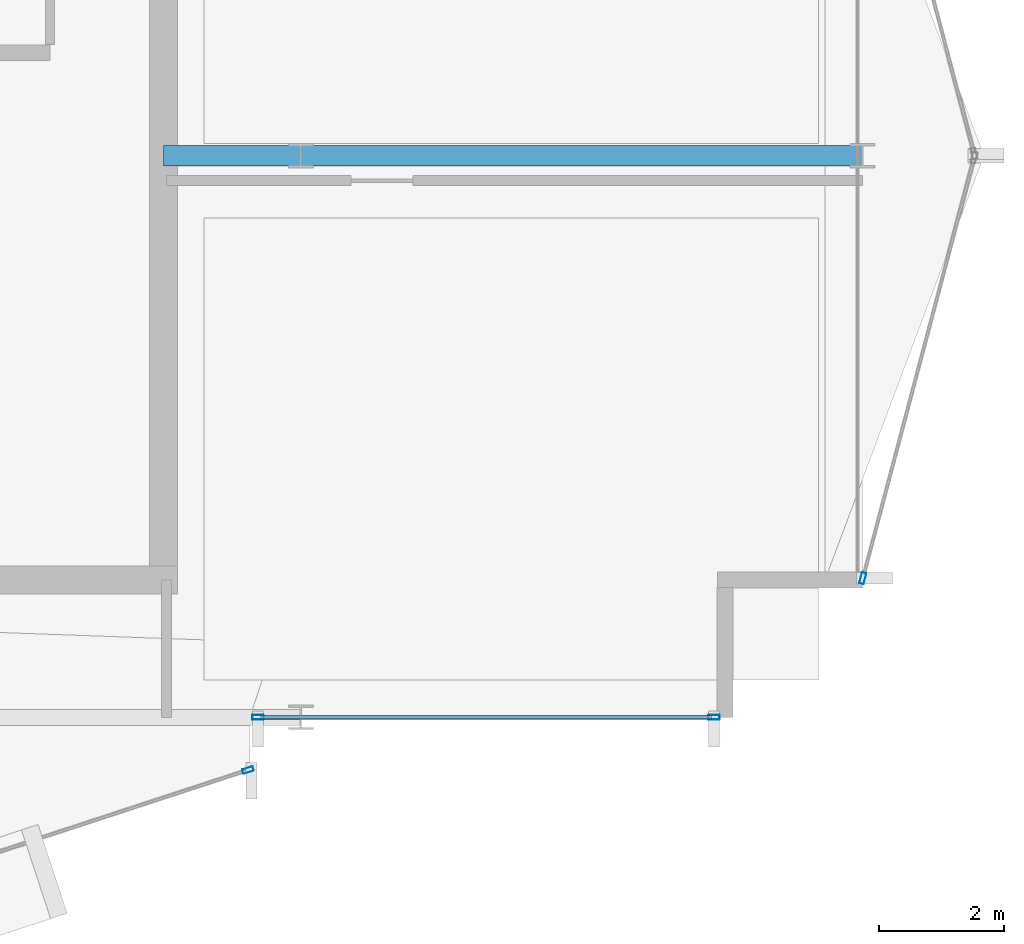
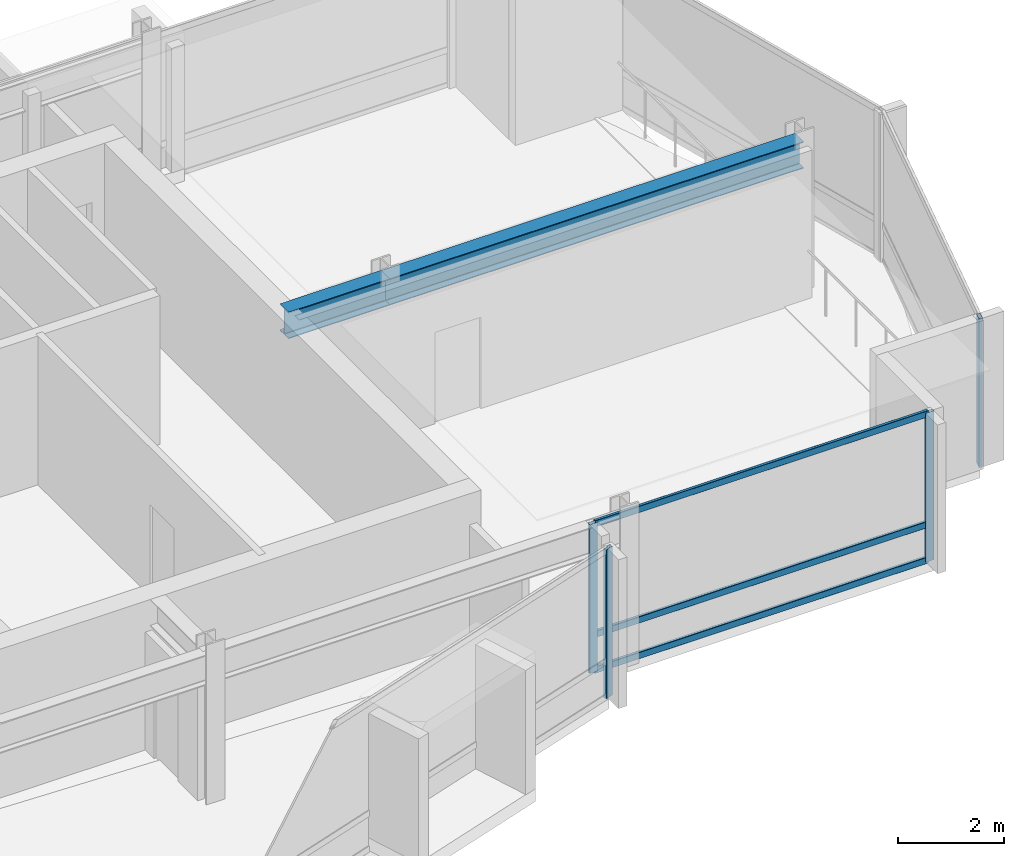
# One storey, part 10 of 27: 7 members, 2 beams, 3 elements without a shape of their own.
"""IFC4 building model written with IfcOpenShell, lengths in metres."""

import ifcopenshell
import ifcopenshell.guid

model = None  # the IFC model being written
_history = None  # IfcOwnerHistory: only IFC2X3 demands one
_inside = {}  # id of a spatial element -> (the spatial element, [elements in it])
_under = {}  # id of a project, library or spatial element -> (it, [spatial elements below it])
_declared = {}  # id of a project -> (the project, [libraries it declares])
_typed = {}  # id of a type object -> (the type object, [elements of that type])
_made_of = {}  # id of a material, layer set ... -> (it, [elements and type objects made of it])


def new_model(schema):
    """Start an empty IFC model of exactly this schema.

    Asked for "IFC4X3", IfcOpenShell would pick the latest addendum, in which some entities
    have other attributes; the version numbers below select the first issue.
    IFC2X3 requires an IfcOwnerHistory on every rooted entity: one is made here for all.
    """
    global model, _history
    if schema == "IFC4X3":
        model = ifcopenshell.file(schema_version=(4, 3, 0, 0))
    else:
        model = ifcopenshell.file(schema=schema)
    _inside.clear()
    _under.clear()
    _declared.clear()
    _typed.clear()
    _made_of.clear()
    _history = None
    if model.schema == "IFC2X3":
        org = make("IfcOrganization", Name="unknown")
        user = make(
            "IfcPersonAndOrganization",
            ThePerson=make("IfcPerson", FamilyName="unknown"),
            TheOrganization=org,
        )
        app = make(
            "IfcApplication",
            ApplicationDeveloper=org,
            Version="unknown",
            ApplicationFullName="unknown",
            ApplicationIdentifier="unknown",
        )
        _history = make(
            "IfcOwnerHistory",
            OwningUser=user,
            OwningApplication=app,
            ChangeAction="ADDED",
            CreationDate=0,
        )
    return model


def make(cls, **values):
    """One entity of the class cls with the attributes given. An attribute that is None is left unset."""
    return model.create_entity(
        cls, **{name: value for name, value in values.items() if value is not None}
    )


def rooted(cls, **values):
    """An entity with a GlobalId (a new one), such as an element, a storey or a relation."""
    return make(cls, GlobalId=ifcopenshell.guid.new(), OwnerHistory=_history, **values)


def si_unit(unit_type, name, prefix=None):
    """IfcSIUnit, for example si_unit("LENGTHUNIT", "METRE", prefix="MILLI")."""
    return make("IfcSIUnit", UnitType=unit_type, Prefix=prefix, Name=name)


def assignment(units):
    """IfcUnitAssignment: the units of a project."""
    return None if units is None else make("IfcUnitAssignment", Units=units)


def point(xyz):
    """IfcCartesianPoint."""
    return None if xyz is None else make("IfcCartesianPoint", Coordinates=xyz)


def direction(xyz):
    """IfcDirection."""
    return None if xyz is None else make("IfcDirection", DirectionRatios=xyz)


def frame(location, z_axis=None, x_axis=None):
    """IfcAxis2Placement3D, a coordinate frame: its origin and axes. An axis left out is left unset."""
    return make(
        "IfcAxis2Placement3D",
        Location=point(location),
        Axis=direction(z_axis),
        RefDirection=direction(x_axis),
    )


def frame_2d(location, x_axis=None):
    """IfcAxis2Placement2D, a coordinate frame in the plane: its origin and x axis."""
    return make(
        "IfcAxis2Placement2D", Location=point(location), RefDirection=direction(x_axis)
    )


def origin():
    """The frame at (0, 0, 0) with its axes left unset."""
    return frame((0.0, 0.0, 0.0))


def origin_2d():
    """The frame at (0, 0) in the plane with its x axis left unset."""
    return frame_2d((0.0, 0.0))


def place(relative_to, where):
    """IfcLocalPlacement: puts the frame where relative to a parent placement (None: the world)."""
    return make(
        "IfcLocalPlacement", PlacementRelTo=relative_to, RelativePlacement=where
    )


def context(
    kind, dimensions, precision=None, world=None, true_north=None, identifier=None
):
    """IfcGeometricRepresentationContext, for example the 3D "Model" context."""
    return make(
        "IfcGeometricRepresentationContext",
        ContextIdentifier=identifier,
        ContextType=kind,
        CoordinateSpaceDimension=dimensions,
        Precision=precision,
        WorldCoordinateSystem=world,
        TrueNorth=true_north,
    )


def subcontext(parent, identifier, kind, view, scale=None):
    """IfcGeometricRepresentationSubContext, for example "Body" below "Model"."""
    return make(
        "IfcGeometricRepresentationSubContext",
        ContextIdentifier=identifier,
        ContextType=kind,
        ParentContext=parent,
        TargetScale=scale,
        TargetView=view,
    )


def project(units=None, contexts=None):
    """IfcProject with its units and contexts."""
    return rooted(
        "IfcProject",
        Name="project",
        RepresentationContexts=contexts,
        UnitsInContext=assignment(units),
    )


def spatial(cls, under=None, at=None, **own):
    """A site, building, storey or space (cls), placed at a placement, below another one or the project."""
    s = rooted(cls, ObjectPlacement=at, **own)
    if under is not None:
        _under.setdefault(under.id(), (under, []))[1].append(s)
    return s


def profile(cls, at=None, kind="AREA", **sizes):
    """A parametric profile (cls). Its sizes go by their IFC names, for example OverallWidth=200.0."""
    return make(cls, ProfileType=kind, Position=at, **sizes)


def hollow_rectangle(**sizes):
    """IfcRectangleHollowProfileDef."""
    return profile("IfcRectangleHollowProfileDef", **sizes)


def i_section(**sizes):
    """IfcIShapeProfileDef."""
    return profile("IfcIShapeProfileDef", **sizes)


def extrude(swept, where, along, depth):
    """IfcExtrudedAreaSolid: the profile swept, set in the frame where, extruded along a direction by depth."""
    return make(
        "IfcExtrudedAreaSolid",
        SweptArea=swept,
        Position=where,
        ExtrudedDirection=direction(along),
        Depth=depth,
    )


def shape(context_of_items, identifier, shape_type, items):
    """IfcShapeRepresentation: the items that make up one representation, for example the "Body"."""
    return make(
        "IfcShapeRepresentation",
        ContextOfItems=context_of_items,
        RepresentationIdentifier=identifier,
        RepresentationType=shape_type,
        Items=items,
    )


def material(Name=None, Category=None):
    """IfcMaterial."""
    return make("IfcMaterial", Name=Name, Category=Category)


def layer(
    of_material, thickness, ventilated=None, Name=None, Category=None, Priority=None
):
    """IfcMaterialLayer: one layer of a wall or slab, of a material (None: an air gap)."""
    return make(
        "IfcMaterialLayer",
        Material=of_material,
        LayerThickness=thickness,
        IsVentilated=ventilated,
        Name=Name,
        Category=Category,
        Priority=Priority,
    )


def layer_set(layers, Name=None):
    """IfcMaterialLayerSet."""
    return make("IfcMaterialLayerSet", MaterialLayers=layers, LayerSetName=Name)


def material_profile(
    of_material, cross_section, Name=None, Category=None, Priority=None
):
    """IfcMaterialProfile: a cross section and its material."""
    return make(
        "IfcMaterialProfile",
        Name=Name,
        Material=of_material,
        Profile=cross_section,
        Priority=Priority,
        Category=Category,
    )


def profile_set(profiles, Name=None, composite=None):
    """IfcMaterialProfileSet."""
    return make(
        "IfcMaterialProfileSet",
        Name=Name,
        MaterialProfiles=profiles,
        CompositeProfile=composite,
    )


def made_of(thing, what):
    """Note that an element or type object is made of a material, layer set ...; save() writes the relation."""
    if what is not None:
        _made_of.setdefault(what.id(), (what, []))[1].append(thing)
    return thing


def type_object(cls, material=None, **own):
    """A type object (cls), such as IfcWallType, which elements share."""
    return made_of(rooted(cls, **own), material)


def element(
    cls,
    number,
    at=None,
    inside=None,
    cuts=None,
    type_object=None,
    material=None,
    context=None,
    identifier="Body",
    shape_type=None,
    held_by="IfcProductDefinitionShape",
    body=None,
    shapes=None,
    **own,
):
    """One element of the class cls, such as IfcWall. Its Tag is "e" and its number.

    at: its placement. inside: the storey or other place that contains it. cuts: it is an
    opening in that element (IfcRelVoidsElement). A single representation is given by context,
    identifier, shape_type and body (its items); several are given by shapes. held_by: the class
    of the entity that holds the representations. save() writes the other relations.
    """
    e = rooted(cls, Tag="e%d" % number, ObjectPlacement=at, **own)
    if body is not None:
        shapes = [shape(context, identifier, shape_type, body)]
    if shapes is not None:
        e.Representation = make(held_by, Representations=shapes)
    if inside is not None:
        _inside.setdefault(inside.id(), (inside, []))[1].append(e)
    if cuts is not None:
        rooted(
            "IfcRelVoidsElement", RelatingBuildingElement=cuts, RelatedOpeningElement=e
        )
    if type_object is not None:
        _typed.setdefault(type_object.id(), (type_object, []))[1].append(e)
    return made_of(e, material)


def aggregate(whole, parts):
    """IfcRelAggregates: a whole, such as a stair, and the parts it consists of."""
    return rooted("IfcRelAggregates", RelatingObject=whole, RelatedObjects=parts)


def save(model, path):
    """Write the relations noted so far, then the file.

    IfcRelAggregates (storeys below a building ...), IfcRelContainedInSpatialStructure (elements
    in a storey), IfcRelDefinesByType, IfcRelAssociatesMaterial and IfcRelDeclares: one each for
    every whole, place, type object, material and project.
    """
    for whole, parts in _under.values():
        aggregate(whole, parts)
    for where, things in _inside.values():
        rooted(
            "IfcRelContainedInSpatialStructure",
            RelatedElements=things,
            RelatingStructure=where,
        )
    for kind, things in _typed.values():
        rooted("IfcRelDefinesByType", RelatedObjects=things, RelatingType=kind)
    for what, things in _made_of.values():
        rooted("IfcRelAssociatesMaterial", RelatedObjects=things, RelatingMaterial=what)
    for by, libraries in _declared.values():
        rooted("IfcRelDeclares", RelatingContext=by, RelatedDefinitions=libraries)
    model.write(path)


model = new_model("IFC4")

# Units and contexts
model_context = context("Model", 3, precision=1e-05, world=origin(), true_north=direction((0.0, 1.0)))
body_context = subcontext(model_context, "Body", "Model", "MODEL_VIEW")
ifc_project = project(units=[si_unit("LENGTHUNIT", "METRE"), si_unit("AREAUNIT", "SQUARE_METRE"), si_unit("VOLUMEUNIT", "CUBIC_METRE"), si_unit("PLANEANGLEUNIT", "RADIAN"), si_unit("MASSUNIT", "GRAM", prefix="KILO")], contexts=[model_context])

# Site, building, storey
site_placement = place(None, origin())
site = spatial("IfcSite", under=ifc_project, at=site_placement, CompositionType="ELEMENT")
building_placement = place(site_placement, origin())
building = spatial("IfcBuilding", under=site, at=building_placement, Name="Solvaryn Broadcast Tower", CompositionType="ELEMENT")
storey_placement = place(building_placement, frame((0.0, 0.0, 228.39990234375)))
storey = spatial("IfcBuildingStorey", under=building, at=storey_placement, Name="L57", CompositionType="ELEMENT", Elevation=228.39990234375)

# Beams
ifc_material_1 = material(Name="Steel ASTM A992 Grade 50", Category="steel")
ifc_material_profile_1 = material_profile(ifc_material_1, i_section(OverallWidth=0.323974609375, OverallDepth=0.611083984375, WebThickness=0.0126953125, FlangeThickness=0.01904296875, FilletRadius=0.014892578125, at=origin_2d()))
ifc_profile_set_1 = profile_set([ifc_material_profile_1], Name="Steel ASTM A992 Grade 50")
beam_type = type_object("IfcBeamType", Name="BM-B1-W24X104", PredefinedType="BEAM", material=ifc_profile_set_1)
beam_1_placement = place(storey_placement, frame((45.0, 18.0, 3.114501953125), z_axis=(1.0, 0.0, 0.0), x_axis=(0.0, 1.0, 0.0)))
element("IfcBeam", 1, at=beam_1_placement, inside=storey, type_object=beam_type, Name="L57 Primary Beam X (45-54 @ Y=18)", PredefinedType="BEAM", context=body_context, shape_type="SweptSolid", body=[
    extrude(i_section(OverallWidth=0.323974609375, OverallDepth=0.611083984375, WebThickness=0.0126953125, FlangeThickness=0.01904296875, FilletRadius=0.014892578125, at=origin_2d()), origin(), (0.0, 0.0, 1.0), 9.0),
])
beam_2_placement = place(storey_placement, frame((42.800048828125, 18.0, 3.114501953125), z_axis=(1.0, 0.0, 0.0), x_axis=(0.0, 1.0, 0.0)))
element("IfcBeam", 2, at=beam_2_placement, inside=storey, type_object=beam_type, Name="L57 Core Tie Beam CTE3", PredefinedType="BEAM", context=body_context, shape_type="SweptSolid", body=[
    extrude(i_section(OverallWidth=0.323974609375, OverallDepth=0.611083984375, WebThickness=0.0126953125, FlangeThickness=0.01904296875, FilletRadius=0.014892578125, at=origin_2d()), origin(), (0.0, 0.0, 1.0), 2.199951171875),
])

# Curtain wall, member
ifc_material_2 = material(Name="Aluminium and Terracotta Unitised Curtain Wall", Category="masonry")
ifc_layer = layer(ifc_material_2, 0.199951171875)
ifc_layer_set = layer_set([ifc_layer], Name="CW-SYS2-LOWMID")
curtain_wall_type = type_object("IfcCurtainWallType", Name="CW-SYS2-LOWMID", PredefinedType="NOTDEFINED", material=ifc_layer_set)
curtain_wall_1_placement = place(storey_placement, origin())
curtain_wall_1 = element("IfcCurtainWall", 3, at=curtain_wall_1_placement, inside=storey, type_object=curtain_wall_type, Name="L57 Curtain Wall DR4", PredefinedType="NOTDEFINED")
ifc_material_3 = material(Name="Anodised Aluminium 6063-T6", Category="aluminium")
ifc_material_profile_2 = material_profile(ifc_material_3, hollow_rectangle(XDim=0.074951171875, YDim=0.179931640625, WallThickness=0.00390625, InnerFilletRadius=0.00390625, OuterFilletRadius=0.008056640625, at=origin_2d()))
ifc_profile_set_2 = profile_set([ifc_material_profile_2], Name="Anodised Aluminium 6063-T6")
member_type_1 = type_object("IfcMemberType", Name="CW-MUL-180", PredefinedType="MULLION", material=ifc_profile_set_2)
member_1_placement = place(storey_placement, frame((44.153564453125, 8.153564453125, 0.0), z_axis=(0.0, 0.0, 1.0), x_axis=(-0.311558717623, 0.950226902099, 0.0)))
member_1 = element("IfcMember", 4, at=member_1_placement, type_object=member_type_1, Name="CWS2 mullion 2", PredefinedType="MULLION", context=body_context, shape_type="SweptSolid", body=[
    extrude(hollow_rectangle(XDim=0.074951171875, YDim=0.179931640625, WallThickness=0.00390625, InnerFilletRadius=0.00390625, OuterFilletRadius=0.008056640625, at=origin_2d()), origin(), (0.0, 0.0, 1.0), 3.420166015625),
])
aggregate(curtain_wall_1, [member_1])

# Curtain wall, members
curtain_wall_2_placement = place(storey_placement, origin())
curtain_wall_2 = element("IfcCurtainWall", 5, at=curtain_wall_2_placement, inside=storey, type_object=curtain_wall_type, Name="L57 Curtain Wall S2", PredefinedType="NOTDEFINED")
member_2_placement = place(storey_placement, frame((44.31201171875, 9.0, 0.0), z_axis=(0.0, 0.0, 1.0), x_axis=(0.0, 1.0, 0.0)))
member_2 = element("IfcMember", 6, at=member_2_placement, type_object=member_type_1, Name="CWS2 mullion 1", PredefinedType="MULLION", context=body_context, shape_type="SweptSolid", body=[
    extrude(hollow_rectangle(XDim=0.074951171875, YDim=0.179931640625, WallThickness=0.00390625, InnerFilletRadius=0.00390625, OuterFilletRadius=0.008056640625, at=origin_2d()), origin(), (0.0, 0.0, 1.0), 3.420166015625),
])
member_3_placement = place(storey_placement, frame((51.6201171875, 9.0, 0.0), z_axis=(0.0, 0.0, 1.0), x_axis=(0.0, 1.0, 0.0)))
member_3 = element("IfcMember", 7, at=member_3_placement, type_object=member_type_1, Name="CWS2 mullion 2", PredefinedType="MULLION", context=body_context, shape_type="SweptSolid", body=[
    extrude(hollow_rectangle(XDim=0.074951171875, YDim=0.179931640625, WallThickness=0.00390625, InnerFilletRadius=0.00390625, OuterFilletRadius=0.008056640625, at=origin_2d()), origin(), (0.0, 0.0, 1.0), 3.420166015625),
])

# Curtain wall, member
curtain_wall_3_placement = place(storey_placement, origin())
curtain_wall_3 = element("IfcCurtainWall", 8, at=curtain_wall_3_placement, inside=storey, type_object=curtain_wall_type, Name="L57 Curtain Wall ET2", PredefinedType="NOTDEFINED")
member_4_placement = place(storey_placement, frame((54.007568359375, 11.22900390625, 0.0), z_axis=(0.0, 0.0, 1.0), x_axis=(0.966705227863, -0.25589256031, 0.0)))
member_4 = element("IfcMember", 9, at=member_4_placement, type_object=member_type_1, Name="CWS2 mullion 2", PredefinedType="MULLION", context=body_context, shape_type="SweptSolid", body=[
    extrude(hollow_rectangle(XDim=0.074951171875, YDim=0.179931640625, WallThickness=0.00390625, InnerFilletRadius=0.00390625, OuterFilletRadius=0.008056640625, at=origin_2d()), origin(), (0.0, 0.0, 1.0), 3.420166015625),
])
aggregate(curtain_wall_3, [member_4])

# Member
ifc_material_4 = material(Name="Anodised Aluminium 6063-T6", Category="aluminium")
ifc_material_profile_3 = material_profile(ifc_material_4, hollow_rectangle(XDim=0.06494140625, YDim=0.14990234375, WallThickness=0.00390625, InnerFilletRadius=0.00390625, OuterFilletRadius=0.008056640625, at=origin_2d()))
ifc_profile_set_3 = profile_set([ifc_material_profile_3], Name="Anodised Aluminium 6063-T6")
member_type_2 = type_object("IfcMemberType", Name="CW-TRN-150", PredefinedType="USERDEFINED", material=ifc_profile_set_3)
member_5_placement = place(storey_placement, frame((44.342041015625, 9.0, 0.030029296875), z_axis=(1.0, 0.0, 0.0), x_axis=(0.0, 1.0, 0.0)))
member_5 = element("IfcMember", 10, at=member_5_placement, type_object=member_type_2, Name="CWS2 transom 1.1", ObjectType="TRANSOM", PredefinedType="USERDEFINED", context=body_context, shape_type="SweptSolid", body=[
    extrude(hollow_rectangle(XDim=0.06494140625, YDim=0.14990234375, WallThickness=0.00390625, InnerFilletRadius=0.00390625, OuterFilletRadius=0.008056640625, at=origin_2d()), origin(), (0.0, 0.0, 1.0), 7.248046875),
])

member_6_placement = place(storey_placement, frame((44.342041015625, 9.0, 0.85009765625), z_axis=(1.0, 0.0, 0.0), x_axis=(0.0, 1.0, 0.0)))
member_6 = element("IfcMember", 11, at=member_6_placement, type_object=member_type_2, Name="CWS2 transom 1.2", ObjectType="TRANSOM", PredefinedType="USERDEFINED", context=body_context, shape_type="SweptSolid", body=[
    extrude(hollow_rectangle(XDim=0.06494140625, YDim=0.14990234375, WallThickness=0.00390625, InnerFilletRadius=0.00390625, OuterFilletRadius=0.008056640625, at=origin_2d()), origin(), (0.0, 0.0, 1.0), 7.248046875),
])

member_7_placement = place(storey_placement, frame((44.342041015625, 9.0, 3.39013671875), z_axis=(1.0, 0.0, 0.0), x_axis=(0.0, 1.0, 0.0)))
member_7 = element("IfcMember", 12, at=member_7_placement, type_object=member_type_2, Name="CWS2 transom 1.3", ObjectType="TRANSOM", PredefinedType="USERDEFINED", context=body_context, shape_type="SweptSolid", body=[
    extrude(hollow_rectangle(XDim=0.06494140625, YDim=0.14990234375, WallThickness=0.00390625, InnerFilletRadius=0.00390625, OuterFilletRadius=0.008056640625, at=origin_2d()), origin(), (0.0, 0.0, 1.0), 7.248046875),
])

aggregate(curtain_wall_2, [member_2, member_3, member_5, member_6, member_7])

save(model, "model.ifc")
